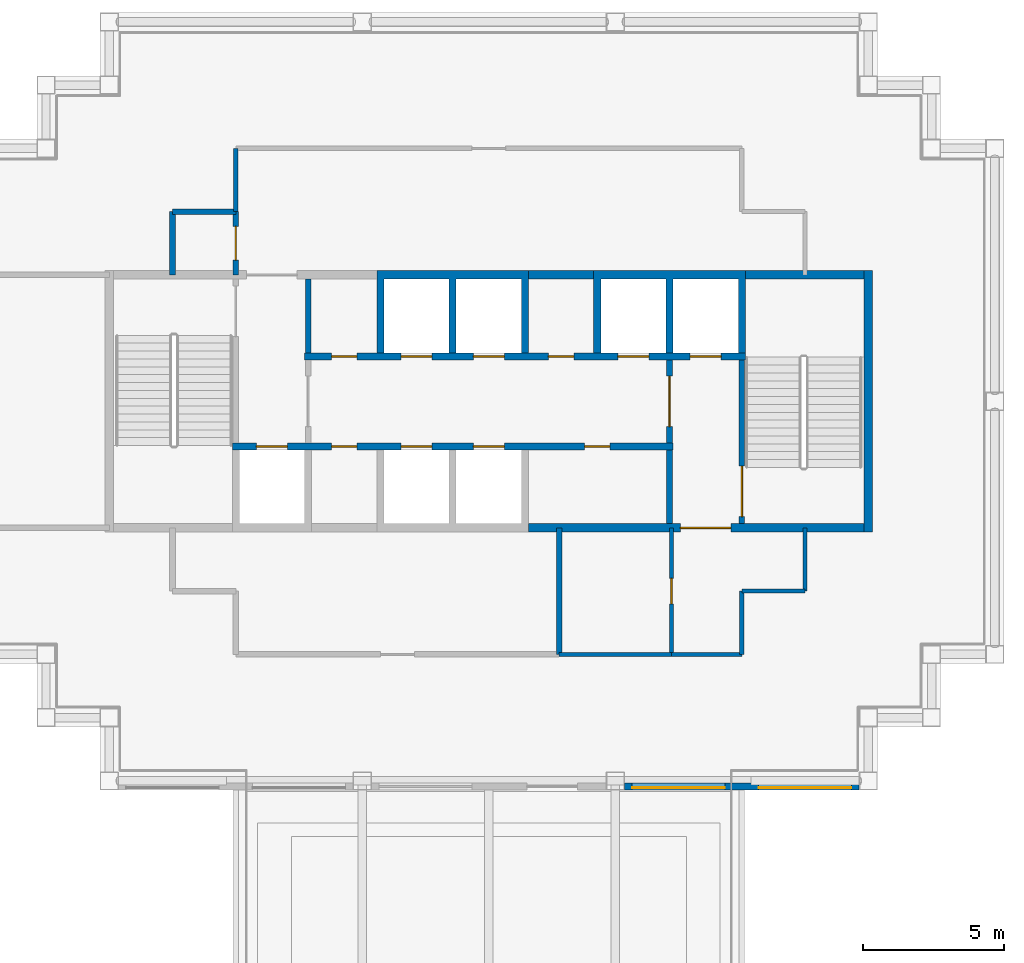
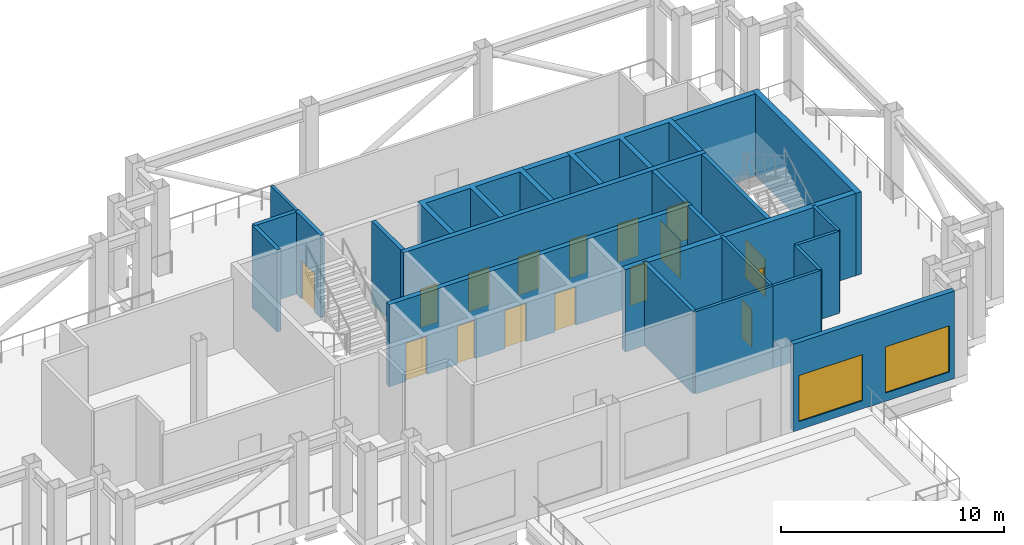
# One storey, part 3 of 10: 24 walls, 16 doors, 2 windows, 18 openings.
"""IFC4 building model written with IfcOpenShell, lengths in metres."""

import ifcopenshell
import ifcopenshell.guid

model = None  # the IFC model being written
_history = None  # IfcOwnerHistory: only IFC2X3 demands one
_inside = {}  # id of a spatial element -> (the spatial element, [elements in it])
_under = {}  # id of a project, library or spatial element -> (it, [spatial elements below it])
_declared = {}  # id of a project -> (the project, [libraries it declares])
_typed = {}  # id of a type object -> (the type object, [elements of that type])
_made_of = {}  # id of a material, layer set ... -> (it, [elements and type objects made of it])


def new_model(schema):
    """Start an empty IFC model of exactly this schema.

    Asked for "IFC4X3", IfcOpenShell would pick the latest addendum, in which some entities
    have other attributes; the version numbers below select the first issue.
    IFC2X3 requires an IfcOwnerHistory on every rooted entity: one is made here for all.
    """
    global model, _history
    if schema == "IFC4X3":
        model = ifcopenshell.file(schema_version=(4, 3, 0, 0))
    else:
        model = ifcopenshell.file(schema=schema)
    _inside.clear()
    _under.clear()
    _declared.clear()
    _typed.clear()
    _made_of.clear()
    _history = None
    if model.schema == "IFC2X3":
        org = make("IfcOrganization", Name="unknown")
        user = make(
            "IfcPersonAndOrganization",
            ThePerson=make("IfcPerson", FamilyName="unknown"),
            TheOrganization=org,
        )
        app = make(
            "IfcApplication",
            ApplicationDeveloper=org,
            Version="unknown",
            ApplicationFullName="unknown",
            ApplicationIdentifier="unknown",
        )
        _history = make(
            "IfcOwnerHistory",
            OwningUser=user,
            OwningApplication=app,
            ChangeAction="ADDED",
            CreationDate=0,
        )
    return model


def make(cls, **values):
    """One entity of the class cls with the attributes given. An attribute that is None is left unset."""
    return model.create_entity(
        cls, **{name: value for name, value in values.items() if value is not None}
    )


def rooted(cls, **values):
    """An entity with a GlobalId (a new one), such as an element, a storey or a relation."""
    return make(cls, GlobalId=ifcopenshell.guid.new(), OwnerHistory=_history, **values)


def si_unit(unit_type, name, prefix=None):
    """IfcSIUnit, for example si_unit("LENGTHUNIT", "METRE", prefix="MILLI")."""
    return make("IfcSIUnit", UnitType=unit_type, Prefix=prefix, Name=name)


def assignment(units):
    """IfcUnitAssignment: the units of a project."""
    return None if units is None else make("IfcUnitAssignment", Units=units)


def point(xyz):
    """IfcCartesianPoint."""
    return None if xyz is None else make("IfcCartesianPoint", Coordinates=xyz)


def direction(xyz):
    """IfcDirection."""
    return None if xyz is None else make("IfcDirection", DirectionRatios=xyz)


def frame(location, z_axis=None, x_axis=None):
    """IfcAxis2Placement3D, a coordinate frame: its origin and axes. An axis left out is left unset."""
    return make(
        "IfcAxis2Placement3D",
        Location=point(location),
        Axis=direction(z_axis),
        RefDirection=direction(x_axis),
    )


def frame_2d(location, x_axis=None):
    """IfcAxis2Placement2D, a coordinate frame in the plane: its origin and x axis."""
    return make(
        "IfcAxis2Placement2D", Location=point(location), RefDirection=direction(x_axis)
    )


def origin():
    """The frame at (0, 0, 0) with its axes left unset."""
    return frame((0.0, 0.0, 0.0))


def place(relative_to, where):
    """IfcLocalPlacement: puts the frame where relative to a parent placement (None: the world)."""
    return make(
        "IfcLocalPlacement", PlacementRelTo=relative_to, RelativePlacement=where
    )


def context(
    kind, dimensions, precision=None, world=None, true_north=None, identifier=None
):
    """IfcGeometricRepresentationContext, for example the 3D "Model" context."""
    return make(
        "IfcGeometricRepresentationContext",
        ContextIdentifier=identifier,
        ContextType=kind,
        CoordinateSpaceDimension=dimensions,
        Precision=precision,
        WorldCoordinateSystem=world,
        TrueNorth=true_north,
    )


def subcontext(parent, identifier, kind, view, scale=None):
    """IfcGeometricRepresentationSubContext, for example "Body" below "Model"."""
    return make(
        "IfcGeometricRepresentationSubContext",
        ContextIdentifier=identifier,
        ContextType=kind,
        ParentContext=parent,
        TargetScale=scale,
        TargetView=view,
    )


def project(units=None, contexts=None):
    """IfcProject with its units and contexts."""
    return rooted(
        "IfcProject",
        Name="project",
        RepresentationContexts=contexts,
        UnitsInContext=assignment(units),
    )


def spatial(cls, under=None, at=None, **own):
    """A site, building, storey or space (cls), placed at a placement, below another one or the project."""
    s = rooted(cls, ObjectPlacement=at, **own)
    if under is not None:
        _under.setdefault(under.id(), (under, []))[1].append(s)
    return s


def polyline(points):
    """IfcPolyline through the points."""
    return make("IfcPolyline", Points=[point(p) for p in points])


def profile(cls, at=None, kind="AREA", **sizes):
    """A parametric profile (cls). Its sizes go by their IFC names, for example OverallWidth=200.0."""
    return make(cls, ProfileType=kind, Position=at, **sizes)


def rectangle(**sizes):
    """IfcRectangleProfileDef."""
    return profile("IfcRectangleProfileDef", **sizes)


def outline(outer, holes=None, kind="AREA"):
    """IfcArbitraryClosedProfileDef: a profile drawn as a closed curve; with holes, ...WithVoids."""
    if holes is None:
        return make("IfcArbitraryClosedProfileDef", ProfileType=kind, OuterCurve=outer)
    return make(
        "IfcArbitraryProfileDefWithVoids",
        ProfileType=kind,
        OuterCurve=outer,
        InnerCurves=holes,
    )


def extrude(swept, where, along, depth):
    """IfcExtrudedAreaSolid: the profile swept, set in the frame where, extruded along a direction by depth."""
    return make(
        "IfcExtrudedAreaSolid",
        SweptArea=swept,
        Position=where,
        ExtrudedDirection=direction(along),
        Depth=depth,
    )


def shape(context_of_items, identifier, shape_type, items):
    """IfcShapeRepresentation: the items that make up one representation, for example the "Body"."""
    return make(
        "IfcShapeRepresentation",
        ContextOfItems=context_of_items,
        RepresentationIdentifier=identifier,
        RepresentationType=shape_type,
        Items=items,
    )


def material(Name=None, Category=None):
    """IfcMaterial."""
    return make("IfcMaterial", Name=Name, Category=Category)


def layer(
    of_material, thickness, ventilated=None, Name=None, Category=None, Priority=None
):
    """IfcMaterialLayer: one layer of a wall or slab, of a material (None: an air gap)."""
    return make(
        "IfcMaterialLayer",
        Material=of_material,
        LayerThickness=thickness,
        IsVentilated=ventilated,
        Name=Name,
        Category=Category,
        Priority=Priority,
    )


def layer_set(layers, Name=None):
    """IfcMaterialLayerSet."""
    return make("IfcMaterialLayerSet", MaterialLayers=layers, LayerSetName=Name)


def made_of(thing, what):
    """Note that an element or type object is made of a material, layer set ...; save() writes the relation."""
    if what is not None:
        _made_of.setdefault(what.id(), (what, []))[1].append(thing)
    return thing


def type_object(cls, material=None, **own):
    """A type object (cls), such as IfcWallType, which elements share."""
    return made_of(rooted(cls, **own), material)


def element(
    cls,
    number,
    at=None,
    inside=None,
    cuts=None,
    type_object=None,
    material=None,
    context=None,
    identifier="Body",
    shape_type=None,
    held_by="IfcProductDefinitionShape",
    body=None,
    shapes=None,
    **own,
):
    """One element of the class cls, such as IfcWall. Its Tag is "e" and its number.

    at: its placement. inside: the storey or other place that contains it. cuts: it is an
    opening in that element (IfcRelVoidsElement). A single representation is given by context,
    identifier, shape_type and body (its items); several are given by shapes. held_by: the class
    of the entity that holds the representations. save() writes the other relations.
    """
    e = rooted(cls, Tag="e%d" % number, ObjectPlacement=at, **own)
    if body is not None:
        shapes = [shape(context, identifier, shape_type, body)]
    if shapes is not None:
        e.Representation = make(held_by, Representations=shapes)
    if inside is not None:
        _inside.setdefault(inside.id(), (inside, []))[1].append(e)
    if cuts is not None:
        rooted(
            "IfcRelVoidsElement", RelatingBuildingElement=cuts, RelatedOpeningElement=e
        )
    if type_object is not None:
        _typed.setdefault(type_object.id(), (type_object, []))[1].append(e)
    return made_of(e, material)


def fill(opening, filler):
    """IfcRelFillsElement: the door or window that sits in an opening."""
    return rooted(
        "IfcRelFillsElement",
        RelatingOpeningElement=opening,
        RelatedBuildingElement=filler,
    )


def aggregate(whole, parts):
    """IfcRelAggregates: a whole, such as a stair, and the parts it consists of."""
    return rooted("IfcRelAggregates", RelatingObject=whole, RelatedObjects=parts)


def save(model, path):
    """Write the relations noted so far, then the file.

    IfcRelAggregates (storeys below a building ...), IfcRelContainedInSpatialStructure (elements
    in a storey), IfcRelDefinesByType, IfcRelAssociatesMaterial and IfcRelDeclares: one each for
    every whole, place, type object, material and project.
    """
    for whole, parts in _under.values():
        aggregate(whole, parts)
    for where, things in _inside.values():
        rooted(
            "IfcRelContainedInSpatialStructure",
            RelatedElements=things,
            RelatingStructure=where,
        )
    for kind, things in _typed.values():
        rooted("IfcRelDefinesByType", RelatedObjects=things, RelatingType=kind)
    for what, things in _made_of.values():
        rooted("IfcRelAssociatesMaterial", RelatedObjects=things, RelatingMaterial=what)
    for by, libraries in _declared.values():
        rooted("IfcRelDeclares", RelatingContext=by, RelatedDefinitions=libraries)
    model.write(path)


model = new_model("IFC4")

# Units and contexts
model_context = context("Model", 3, precision=1e-05, world=origin(), true_north=direction((0.0, 1.0)))
body_context = subcontext(model_context, "Body", "Model", "MODEL_VIEW")
ifc_project = project(units=[si_unit("LENGTHUNIT", "METRE"), si_unit("AREAUNIT", "SQUARE_METRE"), si_unit("VOLUMEUNIT", "CUBIC_METRE"), si_unit("PLANEANGLEUNIT", "RADIAN"), si_unit("MASSUNIT", "GRAM", prefix="KILO")], contexts=[model_context])

# Site, building, storey
site_placement = place(None, origin())
site = spatial("IfcSite", under=ifc_project, at=site_placement, CompositionType="ELEMENT")
building_placement = place(site_placement, origin())
building = spatial("IfcBuilding", under=site, at=building_placement, Name="Caravel Reach Hotel and Residences", CompositionType="ELEMENT")
storey_placement = place(building_placement, frame((0.0, 0.0, 233.10009765625)))
storey = spatial("IfcBuildingStorey", under=building, at=storey_placement, Name="L59", CompositionType="ELEMENT", Elevation=233.10009765625)

# Walls
ifc_material_1 = material(Name="Autoclaved aerated block wall")
ifc_layer_1 = layer(ifc_material_1, 0.199951171875)
ifc_layer_set_1 = layer_set([ifc_layer_1], Name="Compartment wall 200 mm EI 120")
wall_type_1 = type_object("IfcWallType", Name="Compartment wall 200 mm EI 120", PredefinedType="PARTITIONING", material=ifc_layer_set_1)
for number, where, z_axis, x_axis, name in (
    (1, (37.928466796875, 22.64990234375, 0.0), (0.0, 0.0, 1.0), (0.0, 1.0, 0.0), "L59 store partition"),
    (2, (25.071533203125, 28.72509765625, 0.0), (0.0, 0.0, 1.0), (0.0, 1.0, 0.0), "L59 store partition"),
):
    element("IfcWall", number, at=place(storey_placement, frame(where, z_axis=z_axis, x_axis=x_axis)), inside=storey, type_object=wall_type_1, Name=name, PredefinedType="PARTITIONING", context=body_context, shape_type="SweptSolid", body=[
        extrude(rectangle(XDim=2.625, YDim=0.199951171875, at=frame_2d((1.3125, 0.0))), origin(), (0.0, 0.0, 1.0), 4.5),
    ])
for number, where, z_axis, x_axis, name in (
    (3, (20.25, 33.75, 0.0), (0.0, 0.0, 1.0), (1.0, 0.0, 0.0), "L59 wall w018"),
    (4, (20.25, 31.5, 0.0), (0.0, 0.0, 1.0), (0.0, 1.0, 0.0), "L59 wall w020"),
):
    element("IfcWall", number, at=place(storey_placement, frame(where, z_axis=z_axis, x_axis=x_axis)), inside=storey, type_object=wall_type_1, Name=name, PredefinedType="PARTITIONING", context=body_context, shape_type="SweptSolid", body=[
        extrude(rectangle(XDim=2.25, YDim=0.199951171875, at=frame_2d((1.125, 0.0))), origin(), (0.0, 0.0, 1.0), 4.5),
    ])

# Wall, opening, door
wall_1_placement = place(storey_placement, frame((22.5, 31.5, 0.0), z_axis=(0.0, 0.0, 1.0), x_axis=(0.0, 1.0, 0.0)))
wall_1 = element("IfcWall", 5, at=wall_1_placement, inside=storey, type_object=wall_type_1, Name="L59 wall w022", PredefinedType="PARTITIONING", context=body_context, shape_type="SweptSolid", body=[
    extrude(rectangle(XDim=2.25, YDim=0.199951171875, at=frame_2d((1.125, 0.0))), origin(), (0.0, 0.0, 1.0), 4.5),
])
opening_1_placement = place(wall_1_placement, frame((0.52490234375, 0.0, 0.0)))
opening_1 = element("IfcOpeningElement", 6, at=opening_1_placement, cuts=wall_1, Name="Opening D59-019", PredefinedType="OPENING", context=body_context, shape_type="SweptSolid", body=[
    extrude(rectangle(XDim=1.199951171875, YDim=2.10009765625, at=frame_2d((0.60009765625, 1.050048828125))), frame((0.0, 0.10986328125, 0.0), z_axis=(0.0, -1.0, 0.0), x_axis=(1.0, 0.0, 0.0)), (0.0, 0.0, 1.0), 0.219970703125),
])
ifc_material_2 = material(Name="Steel fire door leaf", Category="steel")
door_type_1 = type_object("IfcDoorType", Name="Plant room door 1200 x 2100 EI 60", OperationType="SINGLE_SWING_LEFT", PredefinedType="DOOR", material=ifc_material_2)
door_1_placement = place(opening_1_placement, origin())
door_1 = element("IfcDoor", 7, at=door_1_placement, inside=storey, type_object=door_type_1, Name="door D59-019", OperationType="SINGLE_SWING_RIGHT", OverallHeight=2.10009765625, OverallWidth=1.199951171875, PredefinedType="DOOR", context=body_context, shape_type="SweptSolid", body=[
    extrude(rectangle(XDim=1.199951171875, YDim=2.10009765625, at=frame_2d((0.60009765625, 1.050048828125))), frame((0.0, 0.02490234375, 0.0), z_axis=(0.0, -1.0, 0.0), x_axis=(1.0, 0.0, 0.0)), (0.0, 0.0, 1.0), 0.050048828125),
])
fill(opening_1, door_1)

# Wall
wall_2_placement = place(storey_placement, frame((34.0, 18.0, 0.0), z_axis=(0.0, 0.0, 1.0), x_axis=(0.0, 1.0, 0.0)))
element("IfcWall", 8, at=wall_2_placement, inside=storey, type_object=wall_type_1, Name="L59 wall w023", PredefinedType="PARTITIONING", context=body_context, shape_type="SweptSolid", body=[
    extrude(rectangle(XDim=4.5, YDim=0.199951171875, at=frame_2d((2.25, 0.0))), origin(), (0.0, 0.0, 1.0), 4.5),
])

# Wall, opening, door
ifc_material_3 = material(Name="Concrete C60", Category="concrete")
ifc_layer_2 = layer(ifc_material_3, 0.300048828125)
ifc_layer_set_2 = layer_set([ifc_layer_2], Name="Core wall 300 mm EI 120")
wall_type_2 = type_object("IfcWallType", Name="Core wall 300 mm EI 120", PredefinedType="SHEAR", material=ifc_layer_set_2)
wall_3_placement = place(storey_placement, frame((32.91064453125, 22.5, 0.0), z_axis=(0.0, 0.0, 1.0), x_axis=(1.0, 0.0, 0.0)))
wall_3 = element("IfcWall", 9, at=wall_3_placement, inside=storey, type_object=wall_type_2, Name="L59 core wall S3", PredefinedType="SHEAR", context=body_context, shape_type="SweptSolid", body=[
    extrude(rectangle(XDim=11.939453125, YDim=0.300048828125, at=frame_2d((5.9697265625, 0.0))), origin(), (0.0, 0.0, 1.0), 4.5),
])
opening_2_placement = place(wall_3_placement, frame((5.403564453125, 0.0, 0.0)))
opening_2 = element("IfcOpeningElement", 10, at=opening_2_placement, cuts=wall_3, Name="Opening D59-017", PredefinedType="OPENING", context=body_context, shape_type="SweptSolid", body=[
    extrude(rectangle(XDim=1.800048828125, YDim=2.10009765625, at=frame_2d((0.89990234375, 1.050048828125))), frame((0.0, 0.159912109375, 0.0), z_axis=(0.0, -1.0, 0.0), x_axis=(1.0, 0.0, 0.0)), (0.0, 0.0, 1.0), 0.320068359375),
])
ifc_material_4 = material(Name="Steel fire door leaf", Category="steel")
door_type_2 = type_object("IfcDoorType", Name="Fire lobby door pair 1800 x 2100 EI 90", OperationType="DOUBLE_DOOR_SINGLE_SWING", PredefinedType="DOOR", material=ifc_material_4)
door_2_placement = place(opening_2_placement, origin())
door_2 = element("IfcDoor", 11, at=door_2_placement, inside=storey, type_object=door_type_2, Name="lobby S door pair to corridor", OperationType="DOUBLE_DOOR_SINGLE_SWING", OverallHeight=2.10009765625, OverallWidth=1.800048828125, PredefinedType="DOOR", context=body_context, shape_type="SweptSolid", body=[
    extrude(rectangle(XDim=1.800048828125, YDim=2.10009765625, at=frame_2d((0.89990234375, 1.050048828125))), frame((0.0, 0.02490234375, 0.0), z_axis=(0.0, -1.0, 0.0), x_axis=(1.0, 0.0, 0.0)), (0.0, 0.0, 1.0), 0.050048828125),
])
fill(opening_2, door_2)

# Walls
wall_4_placement = place(storey_placement, frame((32.91064453125, 31.5, 0.0), z_axis=(0.0, 0.0, 1.0), x_axis=(1.0, 0.0, 0.0)))
element("IfcWall", 12, at=wall_4_placement, inside=storey, type_object=wall_type_2, Name="L59 core wall N2", PredefinedType="SHEAR", context=body_context, shape_type="SweptSolid", body=[
    extrude(rectangle(XDim=2.321533203125, YDim=0.300048828125, at=frame_2d((1.16064453125, 0.0))), origin(), (0.0, 0.0, 1.0), 4.5),
])
wall_5_placement = place(storey_placement, frame((40.625, 31.5, 0.0), z_axis=(0.0, 0.0, 1.0), x_axis=(1.0, 0.0, 0.0)))
element("IfcWall", 13, at=wall_5_placement, inside=storey, type_object=wall_type_2, Name="L59 core wall N3", PredefinedType="SHEAR", context=body_context, shape_type="SweptSolid", body=[
    extrude(rectangle(XDim=4.22509765625, YDim=0.300048828125, at=frame_2d((2.112548828125, 0.0))), origin(), (0.0, 0.0, 1.0), 4.5),
])
wall_6_placement = place(storey_placement, frame((45.0, 22.35009765625, 0.0), z_axis=(0.0, 0.0, 1.0), x_axis=(0.0, 1.0, 0.0)))
element("IfcWall", 14, at=wall_6_placement, inside=storey, type_object=wall_type_2, Name="L59 core wall E", PredefinedType="SHEAR", context=body_context, shape_type="SweptSolid", body=[
    extrude(rectangle(XDim=9.2998046875, YDim=0.300048828125, at=frame_2d((4.64990234375, 0.0))), origin(), (0.0, 0.0, 1.0), 4.5),
])
ifc_material_5 = material(Name="Gypsum board on steel stud, fire-rated", Category="steel")
ifc_layer_3 = layer(ifc_material_5, 0.14990234375)
ifc_layer_set_3 = layer_set([ifc_layer_3], Name="Corridor wall 150 mm EI 60")
wall_type_3 = type_object("IfcWallType", Name="Corridor wall 150 mm EI 60", PredefinedType="PARTITIONING", material=ifc_layer_set_3)
wall_7_placement = place(storey_placement, frame((38.0, 18.0, 0.0), z_axis=(0.0, 0.0, 1.0), x_axis=(1.0, 0.0, 0.0)))
element("IfcWall", 15, at=wall_7_placement, inside=storey, type_object=wall_type_3, Name="L59 wall w001", PredefinedType="PARTITIONING", context=body_context, shape_type="SweptSolid", body=[
    extrude(rectangle(XDim=2.5, YDim=0.14990234375, at=frame_2d((1.25, 0.0))), origin(), (0.0, 0.0, 1.0), 4.5),
])
wall_8_placement = place(storey_placement, frame((34.0, 18.0, 0.0), z_axis=(0.0, 0.0, 1.0), x_axis=(1.0, 0.0, 0.0)))
element("IfcWall", 16, at=wall_8_placement, inside=storey, type_object=wall_type_3, Name="L59 wall w002", PredefinedType="PARTITIONING", context=body_context, shape_type="SweptSolid", body=[
    extrude(rectangle(XDim=4.0, YDim=0.14990234375, at=frame_2d((2.0, 0.0))), origin(), (0.0, 0.0, 1.0), 4.5),
])
for number, where, z_axis, x_axis, name in (
    (17, (40.5, 20.25, 0.0), (0.0, 0.0, 1.0), (1.0, 0.0, 0.0), "L59 wall w003"),
    (18, (22.5, 33.75, 0.0), (0.0, 0.0, 1.0), (0.0, 1.0, 0.0), "L59 wall w006"),
):
    element("IfcWall", number, at=place(storey_placement, frame(where, z_axis=z_axis, x_axis=x_axis)), inside=storey, type_object=wall_type_3, Name=name, PredefinedType="PARTITIONING", context=body_context, shape_type="SweptSolid", body=[
        extrude(rectangle(XDim=2.25, YDim=0.14990234375, at=frame_2d((1.125, 0.0))), origin(), (0.0, 0.0, 1.0), 4.5),
    ])

# Wall, opening, door
wall_9_placement = place(storey_placement, frame((38.0, 18.0, 0.0), z_axis=(0.0, 0.0, 1.0), x_axis=(0.0, 1.0, 0.0)))
wall_9 = element("IfcWall", 19, at=wall_9_placement, inside=storey, type_object=wall_type_3, Name="L59 wall w007", PredefinedType="PARTITIONING", context=body_context, shape_type="SweptSolid", body=[
    extrude(rectangle(XDim=4.5, YDim=0.14990234375, at=frame_2d((2.25, 0.0))), origin(), (0.0, 0.0, 1.0), 4.5),
])
opening_3_placement = place(wall_9_placement, frame((1.800048828125, 0.0, 0.0)))
opening_3 = element("IfcOpeningElement", 20, at=opening_3_placement, cuts=wall_9, Name="Opening D59-020", PredefinedType="OPENING", context=body_context, shape_type="SweptSolid", body=[
    extrude(rectangle(XDim=0.89990234375, YDim=2.10009765625, at=frame_2d((0.449951171875, 1.050048828125))), frame((0.0, 0.0849609375, 0.0), z_axis=(0.0, -1.0, 0.0), x_axis=(1.0, 0.0, 0.0)), (0.0, 0.0, 1.0), 0.169921875),
])
ifc_material_6 = material(Name="Timber and steel door leaf", Category="steel")
door_type_3 = type_object("IfcDoorType", Name="Door 900 x 2100 timber", OperationType="SINGLE_SWING_LEFT", PredefinedType="DOOR", material=ifc_material_6)
door_3_placement = place(opening_3_placement, origin())
door_3 = element("IfcDoor", 21, at=door_3_placement, inside=storey, type_object=door_type_3, Name="door D59-020", OperationType="SINGLE_SWING_LEFT", OverallHeight=2.10009765625, OverallWidth=0.89990234375, PredefinedType="DOOR", context=body_context, shape_type="SweptSolid", body=[
    extrude(rectangle(XDim=0.89990234375, YDim=2.10009765625, at=frame_2d((0.449951171875, 1.050048828125))), frame((0.0, 0.02490234375, 0.0), z_axis=(0.0, -1.0, 0.0), x_axis=(1.0, 0.0, 0.0)), (0.0, 0.0, 1.0), 0.050048828125),
])
fill(opening_3, door_3)

# Walls
for number, where, z_axis, x_axis, name in (
    (22, (40.5, 18.0, 0.0), (0.0, 0.0, 1.0), (0.0, 1.0, 0.0), "L59 wall w009"),
    (23, (42.75, 20.25, 0.0), (0.0, 0.0, 1.0), (0.0, 1.0, 0.0), "L59 wall w011"),
):
    element("IfcWall", number, at=place(storey_placement, frame(where, z_axis=z_axis, x_axis=x_axis)), inside=storey, type_object=wall_type_3, Name=name, PredefinedType="PARTITIONING", context=body_context, shape_type="SweptSolid", body=[
        extrude(rectangle(XDim=2.25, YDim=0.14990234375, at=frame_2d((1.125, 0.0))), origin(), (0.0, 0.0, 1.0), 4.5),
    ])

# Wall, openings, windows
ifc_material_7 = material(Name="Insulated rainscreen wall, aluminium cladding", Category="aluminium")
ifc_layer_4 = layer(ifc_material_7, 0.25)
ifc_layer_set_4 = layer_set([ifc_layer_4], Name="EW1 Tower rainscreen wall")
wall_type_4 = type_object("IfcWallType", Name="EW1 Tower rainscreen wall", PredefinedType="SOLIDWALL", material=ifc_layer_set_4)
wall_10_placement = place(storey_placement, frame((36.324951171875, 13.300048828125, 0.0), z_axis=(0.0, 0.0, 1.0), x_axis=(1.0, 0.0, 0.0)))
wall_10 = element("IfcWall", 24, at=wall_10_placement, inside=storey, type_object=wall_type_4, Name="External wall L59 S4.3", PredefinedType="SOLIDWALL", context=body_context, shape_type="SweptSolid", body=[
    extrude(rectangle(XDim=8.35009765625, YDim=0.25, at=frame_2d((4.175048828125, 0.0))), origin(), (0.0, 0.0, 1.0), 4.7998046875),
])
opening_4_placement = place(wall_10_placement, frame((0.27490234375, 0.0, 0.449951171875)))
opening_4 = element("IfcOpeningElement", 25, at=opening_4_placement, cuts=wall_10, Name="Opening WN29", PredefinedType="OPENING", context=body_context, shape_type="SweptSolid", body=[
    extrude(rectangle(XDim=3.300048828125, YDim=2.530029296875, at=frame_2d((1.64990234375, 1.26513671875))), frame((0.0, 0.135009765625, 0.0), z_axis=(0.0, -1.0, 0.0), x_axis=(1.0, 0.0, 0.0)), (0.0, 0.0, 1.0), 0.27001953125),
])
opening_5_placement = place(wall_10_placement, frame((4.77490234375, 0.0, 0.449951171875)))
opening_5 = element("IfcOpeningElement", 26, at=opening_5_placement, cuts=wall_10, Name="Opening WN29", PredefinedType="OPENING", context=body_context, shape_type="SweptSolid", body=[
    extrude(rectangle(XDim=3.300048828125, YDim=2.530029296875, at=frame_2d((1.64990234375, 1.26513671875))), frame((0.0, 0.135009765625, 0.0), z_axis=(0.0, -1.0, 0.0), x_axis=(1.0, 0.0, 0.0)), (0.0, 0.0, 1.0), 0.27001953125),
])
ifc_material_8 = material(Name="Dark low-e glazing in black aluminium frame", Category="aluminium")
window_type = type_object("IfcWindowType", Name="Refuge lounge window 3300 x 2530", PartitioningType="SINGLE_PANEL", PredefinedType="WINDOW", material=ifc_material_8)
window_1_placement = place(opening_4_placement, origin())
window_1 = element("IfcWindow", 27, at=window_1_placement, inside=storey, type_object=window_type, Name="Window L59 S4.3.1", OverallHeight=2.530029296875, OverallWidth=3.300048828125, PartitioningType="SINGLE_PANEL", PredefinedType="WINDOW", context=body_context, shape_type="SweptSolid", body=[
    extrude(rectangle(XDim=3.300048828125, YDim=2.530029296875, at=frame_2d((1.64990234375, 1.26513671875))), frame((0.0, -0.03173828125, 0.0), z_axis=(0.0, -1.0, 0.0), x_axis=(1.0, 0.0, 0.0)), (0.0, 0.0, 1.0), 0.030029296875),
])
fill(opening_4, window_1)
window_2_placement = place(opening_5_placement, origin())
window_2 = element("IfcWindow", 28, at=window_2_placement, inside=storey, type_object=window_type, Name="Window L59 S4.3.2", OverallHeight=2.530029296875, OverallWidth=3.300048828125, PartitioningType="SINGLE_PANEL", PredefinedType="WINDOW", context=body_context, shape_type="SweptSolid", body=[
    extrude(rectangle(XDim=3.300048828125, YDim=2.530029296875, at=frame_2d((1.64990234375, 1.26513671875))), frame((0.0, -0.03173828125, 0.0), z_axis=(0.0, -1.0, 0.0), x_axis=(1.0, 0.0, 0.0)), (0.0, 0.0, 1.0), 0.030029296875),
])
fill(opening_5, window_2)

# Wall, opening, door
ifc_material_9 = material(Name="Autoclaved aerated block wall")
ifc_layer_5 = layer(ifc_material_9, 0.199951171875)
ifc_layer_set_5 = layer_set([ifc_layer_5], Name="Fire lobby wall 200 mm EI 120")
wall_type_5 = type_object("IfcWallType", Name="Fire lobby wall 200 mm EI 120", PredefinedType="PARTITIONING", material=ifc_layer_set_5)
wall_11_placement = place(storey_placement, frame((37.928466796875, 25.52490234375, 0.0), z_axis=(0.0, 0.0, 1.0), x_axis=(0.0, 1.0, 0.0)))
wall_11 = element("IfcWall", 29, at=wall_11_placement, inside=storey, type_object=wall_type_5, Name="L59 lobby E wall", PredefinedType="PARTITIONING", context=body_context, shape_type="SweptSolid", body=[
    extrude(rectangle(XDim=2.9501953125, YDim=0.199951171875, at=frame_2d((1.47509765625, 0.0))), origin(), (0.0, 0.0, 1.0), 4.5),
])
opening_6_placement = place(wall_11_placement, frame((0.574951171875, 0.0, 0.0)))
opening_6 = element("IfcOpeningElement", 30, at=opening_6_placement, cuts=wall_11, Name="Opening D59-015", PredefinedType="OPENING", context=body_context, shape_type="SweptSolid", body=[
    extrude(rectangle(XDim=1.800048828125, YDim=2.10009765625, at=frame_2d((0.89990234375, 1.050048828125))), frame((0.0, 0.10986328125, 0.0), z_axis=(0.0, -1.0, 0.0), x_axis=(1.0, 0.0, 0.0)), (0.0, 0.0, 1.0), 0.219970703125),
])
door_4_placement = place(opening_6_placement, origin())
door_4 = element("IfcDoor", 31, at=door_4_placement, inside=storey, type_object=door_type_2, Name="lobby E door pair", OperationType="DOUBLE_DOOR_SINGLE_SWING", OverallHeight=2.10009765625, OverallWidth=1.800048828125, PredefinedType="DOOR", context=body_context, shape_type="SweptSolid", body=[
    extrude(rectangle(XDim=1.800048828125, YDim=2.10009765625, at=frame_2d((0.89990234375, 1.050048828125))), frame((0.0, 0.02490234375, 0.0), z_axis=(0.0, -1.0, 0.0), x_axis=(1.0, 0.0, 0.0)), (0.0, 0.0, 1.0), 0.050048828125),
])
fill(opening_6, door_4)

# Walls
ifc_material_10 = material(Name="Concrete C60", Category="concrete")
ifc_layer_6 = layer(ifc_material_10, 0.25)
ifc_layer_set_6 = layer_set([ifc_layer_6], Name="Shaft wall 250 mm EI 120")
wall_type_6 = type_object("IfcWallType", Name="Shaft wall 250 mm EI 120", PredefinedType="SHEAR", material=ifc_layer_set_6)
wall_12_placement = place(storey_placement, origin())
element("IfcWall", 32, at=wall_12_placement, inside=storey, type_object=wall_type_6, Name="L59 lift shaft wall N1", PredefinedType="SHEAR", context=body_context, shape_type="SweptSolid", body=[
    extrude(outline(polyline([(27.517822265625, 28.72509765625), (27.767822265625, 28.72509765625), (27.767822265625, 31.35009765625), (30.08935546875, 31.35009765625), (30.08935546875, 28.72509765625), (30.33935546875, 28.72509765625), (30.33935546875, 31.35009765625), (32.66064453125, 31.35009765625), (32.66064453125, 28.72509765625), (32.91064453125, 28.72509765625), (32.91064453125, 31.64990234375), (27.517822265625, 31.64990234375), (27.517822265625, 28.72509765625)])), origin(), (0.0, 0.0, 1.0), 4.5),
])
wall_13_placement = place(storey_placement, origin())
element("IfcWall", 33, at=wall_13_placement, inside=storey, type_object=wall_type_6, Name="L59 lift shaft wall N2", PredefinedType="SHEAR", context=body_context, shape_type="SweptSolid", body=[
    extrude(outline(polyline([(35.232177734375, 28.72509765625), (35.482177734375, 28.72509765625), (35.482177734375, 31.35009765625), (37.803466796875, 31.35009765625), (37.803466796875, 28.72509765625), (38.053466796875, 28.72509765625), (38.053466796875, 31.35009765625), (40.375, 31.35009765625), (40.375, 28.72509765625), (40.625, 28.72509765625), (40.625, 31.64990234375), (35.232177734375, 31.64990234375), (35.232177734375, 28.72509765625)])), origin(), (0.0, 0.0, 1.0), 4.5),
])

# Wall, openings, doors
wall_14_placement = place(storey_placement, frame((22.375, 25.39990234375, 0.0), z_axis=(0.0, 0.0, 1.0), x_axis=(1.0, 0.0, 0.0)))
wall_14 = element("IfcWall", 34, at=wall_14_placement, inside=storey, type_object=wall_type_6, Name="L59 lobby wall S1", PredefinedType="SHEAR", context=body_context, shape_type="SweptSolid", body=[
    extrude(rectangle(XDim=15.678466796875, YDim=0.25, at=frame_2d((7.83935546875, 0.0))), origin(), (0.0, 0.0, 1.0), 4.5),
])
opening_7_placement = place(wall_14_placement, frame((8.574951171875, 0.0, 0.0)))
opening_7 = element("IfcOpeningElement", 35, at=opening_7_placement, cuts=wall_14, Name="Opening D59-001", PredefinedType="OPENING", context=body_context, shape_type="SweptSolid", body=[
    extrude(rectangle(XDim=1.10009765625, YDim=2.10009765625, at=frame_2d((0.550048828125, 1.050048828125))), frame((0.0, 0.135009765625, 0.0), z_axis=(0.0, -1.0, 0.0), x_axis=(1.0, 0.0, 0.0)), (0.0, 0.0, 1.0), 0.27001953125),
])
opening_8_placement = place(wall_14_placement, frame((6.003662109375, 0.0, 0.0)))
opening_8 = element("IfcOpeningElement", 36, at=opening_8_placement, cuts=wall_14, Name="Opening D59-004", PredefinedType="OPENING", context=body_context, shape_type="SweptSolid", body=[
    extrude(rectangle(XDim=1.10009765625, YDim=2.10009765625, at=frame_2d((0.550048828125, 1.050048828125))), frame((0.0, 0.135009765625, 0.0), z_axis=(0.0, -1.0, 0.0), x_axis=(1.0, 0.0, 0.0)), (0.0, 0.0, 1.0), 0.27001953125),
])
opening_9_placement = place(wall_14_placement, frame((0.860595703125, 0.0, 0.0)))
opening_9 = element("IfcOpeningElement", 37, at=opening_9_placement, cuts=wall_14, Name="Opening D59-006", PredefinedType="OPENING", context=body_context, shape_type="SweptSolid", body=[
    extrude(rectangle(XDim=1.10009765625, YDim=2.10009765625, at=frame_2d((0.550048828125, 1.050048828125))), frame((0.0, 0.135009765625, 0.0), z_axis=(0.0, -1.0, 0.0), x_axis=(1.0, 0.0, 0.0)), (0.0, 0.0, 1.0), 0.27001953125),
])
opening_10_placement = place(wall_14_placement, frame((3.531982421875, 0.0, 0.0)))
opening_10 = element("IfcOpeningElement", 38, at=opening_10_placement, cuts=wall_14, Name="Opening D59-008", PredefinedType="OPENING", context=body_context, shape_type="SweptSolid", body=[
    extrude(rectangle(XDim=0.89990234375, YDim=2.10009765625, at=frame_2d((0.449951171875, 1.050048828125))), frame((0.0, 0.135009765625, 0.0), z_axis=(0.0, -1.0, 0.0), x_axis=(1.0, 0.0, 0.0)), (0.0, 0.0, 1.0), 0.27001953125),
])
opening_11_placement = place(wall_14_placement, frame((12.531982421875, 0.0, 0.0)))
opening_11 = element("IfcOpeningElement", 39, at=opening_11_placement, cuts=wall_14, Name="Opening D59-009", PredefinedType="OPENING", context=body_context, shape_type="SweptSolid", body=[
    extrude(rectangle(XDim=0.89990234375, YDim=2.10009765625, at=frame_2d((0.449951171875, 1.050048828125))), frame((0.0, 0.135009765625, 0.0), z_axis=(0.0, -1.0, 0.0), x_axis=(1.0, 0.0, 0.0)), (0.0, 0.0, 1.0), 0.27001953125),
])
ifc_material_11 = material(Name="Stainless steel landing door", Category="steel")
door_type_4 = type_object("IfcDoorType", Name="Landing door LD 1100 x 2100 sliding", OperationType="DOUBLE_DOOR_SLIDING", PredefinedType="DOOR", material=ifc_material_11)
door_5_placement = place(opening_7_placement, origin())
door_5 = element("IfcDoor", 40, at=door_5_placement, inside=storey, type_object=door_type_4, Name="MP1 landing door", OperationType="DOUBLE_DOOR_SLIDING", OverallHeight=2.10009765625, OverallWidth=1.10009765625, PredefinedType="DOOR", context=body_context, shape_type="SweptSolid", body=[
    extrude(rectangle(XDim=1.10009765625, YDim=2.10009765625, at=frame_2d((0.550048828125, 1.050048828125))), frame((0.0, 0.02490234375, 0.0), z_axis=(0.0, -1.0, 0.0), x_axis=(1.0, 0.0, 0.0)), (0.0, 0.0, 1.0), 0.050048828125),
])
fill(opening_7, door_5)
door_6_placement = place(opening_8_placement, origin())
door_6 = element("IfcDoor", 41, at=door_6_placement, inside=storey, type_object=door_type_4, Name="HP1 landing door", OperationType="DOUBLE_DOOR_SLIDING", OverallHeight=2.10009765625, OverallWidth=1.10009765625, PredefinedType="DOOR", context=body_context, shape_type="SweptSolid", body=[
    extrude(rectangle(XDim=1.10009765625, YDim=2.10009765625, at=frame_2d((0.550048828125, 1.050048828125))), frame((0.0, 0.02490234375, 0.0), z_axis=(0.0, -1.0, 0.0), x_axis=(1.0, 0.0, 0.0)), (0.0, 0.0, 1.0), 0.050048828125),
])
fill(opening_8, door_6)
door_7_placement = place(opening_9_placement, origin())
door_7 = element("IfcDoor", 42, at=door_7_placement, inside=storey, type_object=door_type_4, Name="FL1 landing door", OperationType="DOUBLE_DOOR_SLIDING", OverallHeight=2.10009765625, OverallWidth=1.10009765625, PredefinedType="DOOR", context=body_context, shape_type="SweptSolid", body=[
    extrude(rectangle(XDim=1.10009765625, YDim=2.10009765625, at=frame_2d((0.550048828125, 1.050048828125))), frame((0.0, 0.02490234375, 0.0), z_axis=(0.0, -1.0, 0.0), x_axis=(1.0, 0.0, 0.0)), (0.0, 0.0, 1.0), 0.050048828125),
])
fill(opening_9, door_7)
ifc_material_12 = material(Name="Steel fire door leaf", Category="steel")
door_type_5 = type_object("IfcDoorType", Name="Riser door 900 x 2100 EI 60", OperationType="SINGLE_SWING_LEFT", PredefinedType="DOOR", material=ifc_material_12)
door_8_placement = place(opening_10_placement, origin())
door_8 = element("IfcDoor", 43, at=door_8_placement, inside=storey, type_object=door_type_5, Name="Electrical riser room door", OperationType="SINGLE_SWING_LEFT", OverallHeight=2.10009765625, OverallWidth=0.89990234375, PredefinedType="DOOR", context=body_context, shape_type="SweptSolid", body=[
    extrude(rectangle(XDim=0.89990234375, YDim=2.10009765625, at=frame_2d((0.449951171875, 1.050048828125))), frame((0.0, 0.02490234375, 0.0), z_axis=(0.0, -1.0, 0.0), x_axis=(1.0, 0.0, 0.0)), (0.0, 0.0, 1.0), 0.050048828125),
])
fill(opening_10, door_8)
door_9_placement = place(opening_11_placement, origin())
door_9 = element("IfcDoor", 44, at=door_9_placement, inside=storey, type_object=door_type_5, Name="Comms room door", OperationType="SINGLE_SWING_LEFT", OverallHeight=2.10009765625, OverallWidth=0.89990234375, PredefinedType="DOOR", context=body_context, shape_type="SweptSolid", body=[
    extrude(rectangle(XDim=0.89990234375, YDim=2.10009765625, at=frame_2d((0.449951171875, 1.050048828125))), frame((0.0, 0.02490234375, 0.0), z_axis=(0.0, -1.0, 0.0), x_axis=(1.0, 0.0, 0.0)), (0.0, 0.0, 1.0), 0.050048828125),
])
fill(opening_11, door_9)

wall_15_placement = place(storey_placement, frame((24.946533203125, 28.60009765625, 0.0), z_axis=(0.0, 0.0, 1.0), x_axis=(1.0, 0.0, 0.0)))
wall_15 = element("IfcWall", 45, at=wall_15_placement, inside=storey, type_object=wall_type_6, Name="L59 lobby wall N1", PredefinedType="SHEAR", context=body_context, shape_type="SweptSolid", body=[
    extrude(rectangle(XDim=15.678466796875, YDim=0.25, at=frame_2d((7.83935546875, 0.0))), origin(), (0.0, 0.0, 1.0), 4.5),
])
opening_12_placement = place(wall_15_placement, frame((6.003662109375, 0.0, 0.0)))
opening_12 = element("IfcOpeningElement", 46, at=opening_12_placement, cuts=wall_15, Name="Opening D59-002", PredefinedType="OPENING", context=body_context, shape_type="SweptSolid", body=[
    extrude(rectangle(XDim=1.10009765625, YDim=2.10009765625, at=frame_2d((0.550048828125, 1.050048828125))), frame((0.0, 0.135009765625, 0.0), z_axis=(0.0, -1.0, 0.0), x_axis=(1.0, 0.0, 0.0)), (0.0, 0.0, 1.0), 0.27001953125),
])
opening_13_placement = place(wall_15_placement, frame((11.146484375, 0.0, 0.0)))
opening_13 = element("IfcOpeningElement", 47, at=opening_13_placement, cuts=wall_15, Name="Opening D59-003", PredefinedType="OPENING", context=body_context, shape_type="SweptSolid", body=[
    extrude(rectangle(XDim=1.10009765625, YDim=2.10009765625, at=frame_2d((0.550048828125, 1.050048828125))), frame((0.0, 0.135009765625, 0.0), z_axis=(0.0, -1.0, 0.0), x_axis=(1.0, 0.0, 0.0)), (0.0, 0.0, 1.0), 0.27001953125),
])
opening_14_placement = place(wall_15_placement, frame((3.43212890625, 0.0, 0.0)))
opening_14 = element("IfcOpeningElement", 48, at=opening_14_placement, cuts=wall_15, Name="Opening D59-005", PredefinedType="OPENING", context=body_context, shape_type="SweptSolid", body=[
    extrude(rectangle(XDim=1.10009765625, YDim=2.10009765625, at=frame_2d((0.550048828125, 1.050048828125))), frame((0.0, 0.135009765625, 0.0), z_axis=(0.0, -1.0, 0.0), x_axis=(1.0, 0.0, 0.0)), (0.0, 0.0, 1.0), 0.27001953125),
])
opening_15_placement = place(wall_15_placement, frame((13.718017578125, 0.0, 0.0)))
opening_15 = element("IfcOpeningElement", 49, at=opening_15_placement, cuts=wall_15, Name="Opening D59-007", PredefinedType="OPENING", context=body_context, shape_type="SweptSolid", body=[
    extrude(rectangle(XDim=1.10009765625, YDim=2.10009765625, at=frame_2d((0.550048828125, 1.050048828125))), frame((0.0, 0.135009765625, 0.0), z_axis=(0.0, -1.0, 0.0), x_axis=(1.0, 0.0, 0.0)), (0.0, 0.0, 1.0), 0.27001953125),
])
opening_16_placement = place(wall_15_placement, frame((0.960693359375, 0.0, 0.0)))
opening_16 = element("IfcOpeningElement", 50, at=opening_16_placement, cuts=wall_15, Name="Opening D59-010", PredefinedType="OPENING", context=body_context, shape_type="SweptSolid", body=[
    extrude(rectangle(XDim=0.89990234375, YDim=2.10009765625, at=frame_2d((0.449951171875, 1.050048828125))), frame((0.0, 0.135009765625, 0.0), z_axis=(0.0, -1.0, 0.0), x_axis=(1.0, 0.0, 0.0)), (0.0, 0.0, 1.0), 0.27001953125),
])
opening_17_placement = place(wall_15_placement, frame((8.675048828125, 0.0, 0.0)))
opening_17 = element("IfcOpeningElement", 51, at=opening_17_placement, cuts=wall_15, Name="Opening D59-011", PredefinedType="OPENING", context=body_context, shape_type="SweptSolid", body=[
    extrude(rectangle(XDim=0.89990234375, YDim=2.10009765625, at=frame_2d((0.449951171875, 1.050048828125))), frame((0.0, 0.135009765625, 0.0), z_axis=(0.0, -1.0, 0.0), x_axis=(1.0, 0.0, 0.0)), (0.0, 0.0, 1.0), 0.27001953125),
])
door_10_placement = place(opening_12_placement, origin())
door_10 = element("IfcDoor", 52, at=door_10_placement, inside=storey, type_object=door_type_4, Name="MP2 landing door", OperationType="DOUBLE_DOOR_SLIDING", OverallHeight=2.10009765625, OverallWidth=1.10009765625, PredefinedType="DOOR", context=body_context, shape_type="SweptSolid", body=[
    extrude(rectangle(XDim=1.10009765625, YDim=2.10009765625, at=frame_2d((0.550048828125, 1.050048828125))), frame((0.0, 0.02490234375, 0.0), z_axis=(0.0, -1.0, 0.0), x_axis=(1.0, 0.0, 0.0)), (0.0, 0.0, 1.0), 0.050048828125),
])
fill(opening_12, door_10)
door_11_placement = place(opening_13_placement, origin())
door_11 = element("IfcDoor", 53, at=door_11_placement, inside=storey, type_object=door_type_4, Name="MP3 landing door", OperationType="DOUBLE_DOOR_SLIDING", OverallHeight=2.10009765625, OverallWidth=1.10009765625, PredefinedType="DOOR", context=body_context, shape_type="SweptSolid", body=[
    extrude(rectangle(XDim=1.10009765625, YDim=2.10009765625, at=frame_2d((0.550048828125, 1.050048828125))), frame((0.0, 0.02490234375, 0.0), z_axis=(0.0, -1.0, 0.0), x_axis=(1.0, 0.0, 0.0)), (0.0, 0.0, 1.0), 0.050048828125),
])
fill(opening_13, door_11)
door_12_placement = place(opening_14_placement, origin())
door_12 = element("IfcDoor", 54, at=door_12_placement, inside=storey, type_object=door_type_4, Name="HP2 landing door", OperationType="DOUBLE_DOOR_SLIDING", OverallHeight=2.10009765625, OverallWidth=1.10009765625, PredefinedType="DOOR", context=body_context, shape_type="SweptSolid", body=[
    extrude(rectangle(XDim=1.10009765625, YDim=2.10009765625, at=frame_2d((0.550048828125, 1.050048828125))), frame((0.0, 0.02490234375, 0.0), z_axis=(0.0, -1.0, 0.0), x_axis=(1.0, 0.0, 0.0)), (0.0, 0.0, 1.0), 0.050048828125),
])
fill(opening_14, door_12)
door_13_placement = place(opening_15_placement, origin())
door_13 = element("IfcDoor", 55, at=door_13_placement, inside=storey, type_object=door_type_4, Name="FL2 landing door", OperationType="DOUBLE_DOOR_SLIDING", OverallHeight=2.10009765625, OverallWidth=1.10009765625, PredefinedType="DOOR", context=body_context, shape_type="SweptSolid", body=[
    extrude(rectangle(XDim=1.10009765625, YDim=2.10009765625, at=frame_2d((0.550048828125, 1.050048828125))), frame((0.0, 0.02490234375, 0.0), z_axis=(0.0, -1.0, 0.0), x_axis=(1.0, 0.0, 0.0)), (0.0, 0.0, 1.0), 0.050048828125),
])
fill(opening_15, door_13)
door_14_placement = place(opening_16_placement, origin())
door_14 = element("IfcDoor", 56, at=door_14_placement, inside=storey, type_object=door_type_5, Name="Package store door", OperationType="SINGLE_SWING_LEFT", OverallHeight=2.10009765625, OverallWidth=0.89990234375, PredefinedType="DOOR", context=body_context, shape_type="SweptSolid", body=[
    extrude(rectangle(XDim=0.89990234375, YDim=2.10009765625, at=frame_2d((0.449951171875, 1.050048828125))), frame((0.0, 0.02490234375, 0.0), z_axis=(0.0, -1.0, 0.0), x_axis=(1.0, 0.0, 0.0)), (0.0, 0.0, 1.0), 0.050048828125),
])
fill(opening_16, door_14)
door_15_placement = place(opening_17_placement, origin())
door_15 = element("IfcDoor", 57, at=door_15_placement, inside=storey, type_object=door_type_5, Name="Water tank room door", OperationType="SINGLE_SWING_LEFT", OverallHeight=2.10009765625, OverallWidth=0.89990234375, PredefinedType="DOOR", context=body_context, shape_type="SweptSolid", body=[
    extrude(rectangle(XDim=0.89990234375, YDim=2.10009765625, at=frame_2d((0.449951171875, 1.050048828125))), frame((0.0, 0.02490234375, 0.0), z_axis=(0.0, -1.0, 0.0), x_axis=(1.0, 0.0, 0.0)), (0.0, 0.0, 1.0), 0.050048828125),
])
fill(opening_17, door_15)

# Wall, opening, door
ifc_material_13 = material(Name="Concrete C60", Category="concrete")
ifc_layer_7 = layer(ifc_material_13, 0.199951171875)
ifc_layer_set_7 = layer_set([ifc_layer_7], Name="Stair enclosure wall 200 mm EI 120")
wall_type_7 = type_object("IfcWallType", Name="Stair enclosure wall 200 mm EI 120", PredefinedType="SHEAR", material=ifc_layer_set_7)
wall_16_placement = place(storey_placement, frame((40.5, 22.64990234375, 0.0), z_axis=(0.0, 0.0, 1.0), x_axis=(0.0, 1.0, 0.0)))
wall_16 = element("IfcWall", 58, at=wall_16_placement, inside=storey, type_object=wall_type_7, Name="L59 stair B wall", PredefinedType="SHEAR", context=body_context, shape_type="SweptSolid", body=[
    extrude(rectangle(XDim=5.8251953125, YDim=0.199951171875, at=frame_2d((2.91259765625, 0.0))), origin(), (0.0, 0.0, 1.0), 4.5),
])
opening_18_placement = place(wall_16_placement, frame((0.25, 0.0, 0.0)))
opening_18 = element("IfcOpeningElement", 59, at=opening_18_placement, cuts=wall_16, Name="Opening D59-013", PredefinedType="OPENING", context=body_context, shape_type="SweptSolid", body=[
    extrude(rectangle(XDim=1.800048828125, YDim=2.10009765625, at=frame_2d((0.89990234375, 1.050048828125))), frame((0.0, 0.10986328125, 0.0), z_axis=(0.0, -1.0, 0.0), x_axis=(1.0, 0.0, 0.0)), (0.0, 0.0, 1.0), 0.219970703125),
])
ifc_material_14 = material(Name="Steel fire door leaf", Category="steel")
door_type_6 = type_object("IfcDoorType", Name="Stair door pair 1800 x 2100 EI 90", OperationType="DOUBLE_DOOR_SINGLE_SWING", PredefinedType="DOOR", material=ifc_material_14)
door_16_placement = place(opening_18_placement, origin())
door_16 = element("IfcDoor", 60, at=door_16_placement, inside=storey, type_object=door_type_6, Name="stair B door pair", OperationType="DOUBLE_DOOR_SINGLE_SWING", OverallHeight=2.10009765625, OverallWidth=1.800048828125, PredefinedType="DOOR", context=body_context, shape_type="SweptSolid", body=[
    extrude(rectangle(XDim=1.800048828125, YDim=2.10009765625, at=frame_2d((0.89990234375, 1.050048828125))), frame((0.0, 0.02490234375, 0.0), z_axis=(0.0, -1.0, 0.0), x_axis=(1.0, 0.0, 0.0)), (0.0, 0.0, 1.0), 0.050048828125),
])
fill(opening_18, door_16)

save(model, "model.ifc")
